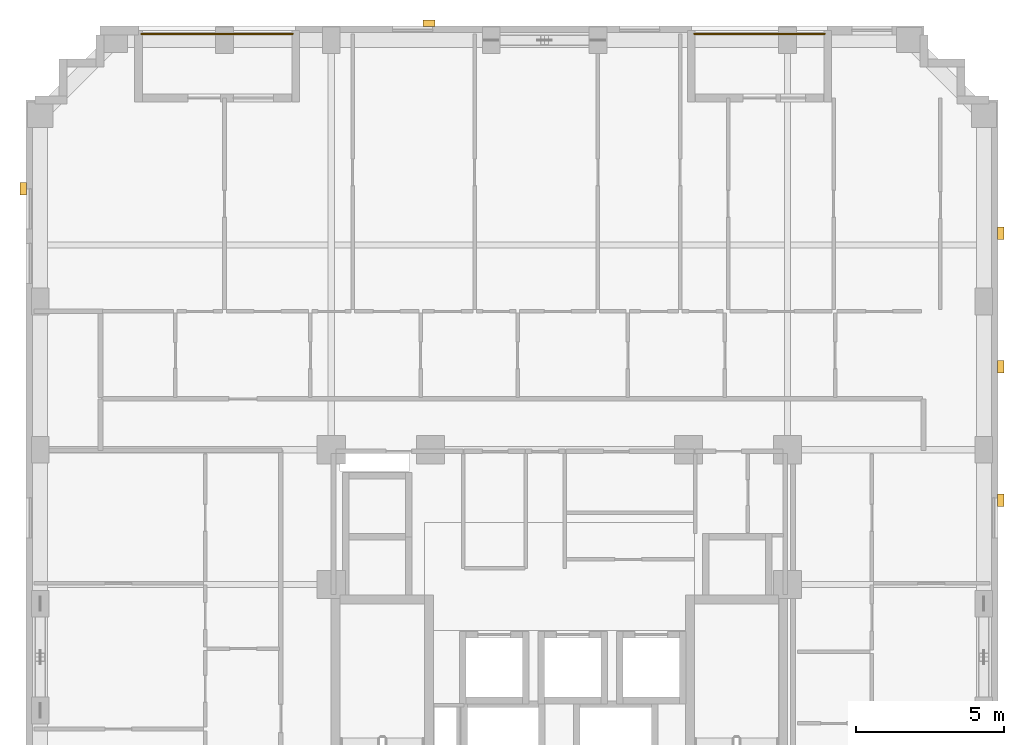
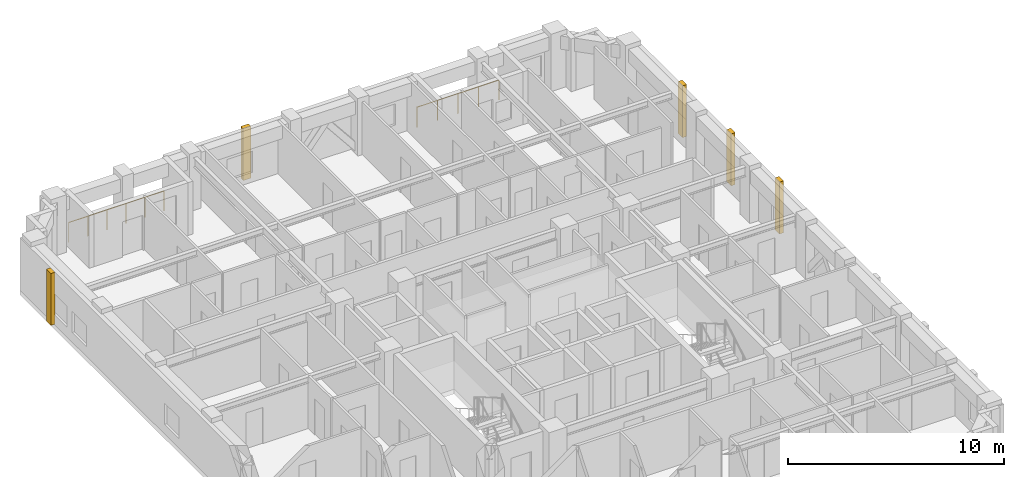
# One storey, part 11 of 11: 5 coverings, 2 railings.
"""IFC4 building model written with IfcOpenShell, lengths in metres."""

import ifcopenshell
import ifcopenshell.guid

model = None  # the IFC model being written
_history = None  # IfcOwnerHistory: only IFC2X3 demands one
_inside = {}  # id of a spatial element -> (the spatial element, [elements in it])
_under = {}  # id of a project, library or spatial element -> (it, [spatial elements below it])
_declared = {}  # id of a project -> (the project, [libraries it declares])
_typed = {}  # id of a type object -> (the type object, [elements of that type])
_made_of = {}  # id of a material, layer set ... -> (it, [elements and type objects made of it])


def new_model(schema):
    """Start an empty IFC model of exactly this schema.

    Asked for "IFC4X3", IfcOpenShell would pick the latest addendum, in which some entities
    have other attributes; the version numbers below select the first issue.
    IFC2X3 requires an IfcOwnerHistory on every rooted entity: one is made here for all.
    """
    global model, _history
    if schema == "IFC4X3":
        model = ifcopenshell.file(schema_version=(4, 3, 0, 0))
    else:
        model = ifcopenshell.file(schema=schema)
    _inside.clear()
    _under.clear()
    _declared.clear()
    _typed.clear()
    _made_of.clear()
    _history = None
    if model.schema == "IFC2X3":
        org = make("IfcOrganization", Name="unknown")
        user = make(
            "IfcPersonAndOrganization",
            ThePerson=make("IfcPerson", FamilyName="unknown"),
            TheOrganization=org,
        )
        app = make(
            "IfcApplication",
            ApplicationDeveloper=org,
            Version="unknown",
            ApplicationFullName="unknown",
            ApplicationIdentifier="unknown",
        )
        _history = make(
            "IfcOwnerHistory",
            OwningUser=user,
            OwningApplication=app,
            ChangeAction="ADDED",
            CreationDate=0,
        )
    return model


def make(cls, **values):
    """One entity of the class cls with the attributes given. An attribute that is None is left unset."""
    return model.create_entity(
        cls, **{name: value for name, value in values.items() if value is not None}
    )


def rooted(cls, **values):
    """An entity with a GlobalId (a new one), such as an element, a storey or a relation."""
    return make(cls, GlobalId=ifcopenshell.guid.new(), OwnerHistory=_history, **values)


def si_unit(unit_type, name, prefix=None):
    """IfcSIUnit, for example si_unit("LENGTHUNIT", "METRE", prefix="MILLI")."""
    return make("IfcSIUnit", UnitType=unit_type, Prefix=prefix, Name=name)


def derived_unit(unit_type, elements):
    """IfcDerivedUnit: a product of units, each with its exponent."""
    return make(
        "IfcDerivedUnit",
        Elements=[
            make("IfcDerivedUnitElement", Unit=unit, Exponent=power)
            for unit, power in elements
        ],
        UnitType=unit_type,
    )


def assignment(units):
    """IfcUnitAssignment: the units of a project."""
    return None if units is None else make("IfcUnitAssignment", Units=units)


def point(xyz):
    """IfcCartesianPoint."""
    return None if xyz is None else make("IfcCartesianPoint", Coordinates=xyz)


def direction(xyz):
    """IfcDirection."""
    return None if xyz is None else make("IfcDirection", DirectionRatios=xyz)


def frame(location, z_axis=None, x_axis=None):
    """IfcAxis2Placement3D, a coordinate frame: its origin and axes. An axis left out is left unset."""
    return make(
        "IfcAxis2Placement3D",
        Location=point(location),
        Axis=direction(z_axis),
        RefDirection=direction(x_axis),
    )


def frame_2d(location, x_axis=None):
    """IfcAxis2Placement2D, a coordinate frame in the plane: its origin and x axis."""
    return make(
        "IfcAxis2Placement2D", Location=point(location), RefDirection=direction(x_axis)
    )


def origin():
    """The frame at (0, 0, 0) with its axes left unset."""
    return frame((0.0, 0.0, 0.0))


def origin_2d():
    """The frame at (0, 0) in the plane with its x axis left unset."""
    return frame_2d((0.0, 0.0))


def place(relative_to, where):
    """IfcLocalPlacement: puts the frame where relative to a parent placement (None: the world)."""
    return make(
        "IfcLocalPlacement", PlacementRelTo=relative_to, RelativePlacement=where
    )


def context(
    kind, dimensions, precision=None, world=None, true_north=None, identifier=None
):
    """IfcGeometricRepresentationContext, for example the 3D "Model" context."""
    return make(
        "IfcGeometricRepresentationContext",
        ContextIdentifier=identifier,
        ContextType=kind,
        CoordinateSpaceDimension=dimensions,
        Precision=precision,
        WorldCoordinateSystem=world,
        TrueNorth=true_north,
    )


def subcontext(parent, identifier, kind, view, scale=None):
    """IfcGeometricRepresentationSubContext, for example "Body" below "Model"."""
    return make(
        "IfcGeometricRepresentationSubContext",
        ContextIdentifier=identifier,
        ContextType=kind,
        ParentContext=parent,
        TargetScale=scale,
        TargetView=view,
    )


def project(units=None, contexts=None):
    """IfcProject with its units and contexts."""
    return rooted(
        "IfcProject",
        Name="project",
        RepresentationContexts=contexts,
        UnitsInContext=assignment(units),
    )


def spatial(cls, under=None, at=None, **own):
    """A site, building, storey or space (cls), placed at a placement, below another one or the project."""
    s = rooted(cls, ObjectPlacement=at, **own)
    if under is not None:
        _under.setdefault(under.id(), (under, []))[1].append(s)
    return s


def profile(cls, at=None, kind="AREA", **sizes):
    """A parametric profile (cls). Its sizes go by their IFC names, for example OverallWidth=200.0."""
    return make(cls, ProfileType=kind, Position=at, **sizes)


def rectangle(**sizes):
    """IfcRectangleProfileDef."""
    return profile("IfcRectangleProfileDef", **sizes)


def circle(**sizes):
    """IfcCircleProfileDef."""
    return profile("IfcCircleProfileDef", **sizes)


def extrude(swept, where, along, depth):
    """IfcExtrudedAreaSolid: the profile swept, set in the frame where, extruded along a direction by depth."""
    return make(
        "IfcExtrudedAreaSolid",
        SweptArea=swept,
        Position=where,
        ExtrudedDirection=direction(along),
        Depth=depth,
    )


def shape(context_of_items, identifier, shape_type, items):
    """IfcShapeRepresentation: the items that make up one representation, for example the "Body"."""
    return make(
        "IfcShapeRepresentation",
        ContextOfItems=context_of_items,
        RepresentationIdentifier=identifier,
        RepresentationType=shape_type,
        Items=items,
    )


def material(Name=None, Category=None):
    """IfcMaterial."""
    return make("IfcMaterial", Name=Name, Category=Category)


def layer(
    of_material, thickness, ventilated=None, Name=None, Category=None, Priority=None
):
    """IfcMaterialLayer: one layer of a wall or slab, of a material (None: an air gap)."""
    return make(
        "IfcMaterialLayer",
        Material=of_material,
        LayerThickness=thickness,
        IsVentilated=ventilated,
        Name=Name,
        Category=Category,
        Priority=Priority,
    )


def layer_set(layers, Name=None):
    """IfcMaterialLayerSet."""
    return make("IfcMaterialLayerSet", MaterialLayers=layers, LayerSetName=Name)


def made_of(thing, what):
    """Note that an element or type object is made of a material, layer set ...; save() writes the relation."""
    if what is not None:
        _made_of.setdefault(what.id(), (what, []))[1].append(thing)
    return thing


def type_object(cls, material=None, **own):
    """A type object (cls), such as IfcWallType, which elements share."""
    return made_of(rooted(cls, **own), material)


def element(
    cls,
    number,
    at=None,
    inside=None,
    cuts=None,
    type_object=None,
    material=None,
    context=None,
    identifier="Body",
    shape_type=None,
    held_by="IfcProductDefinitionShape",
    body=None,
    shapes=None,
    **own,
):
    """One element of the class cls, such as IfcWall. Its Tag is "e" and its number.

    at: its placement. inside: the storey or other place that contains it. cuts: it is an
    opening in that element (IfcRelVoidsElement). A single representation is given by context,
    identifier, shape_type and body (its items); several are given by shapes. held_by: the class
    of the entity that holds the representations. save() writes the other relations.
    """
    e = rooted(cls, Tag="e%d" % number, ObjectPlacement=at, **own)
    if body is not None:
        shapes = [shape(context, identifier, shape_type, body)]
    if shapes is not None:
        e.Representation = make(held_by, Representations=shapes)
    if inside is not None:
        _inside.setdefault(inside.id(), (inside, []))[1].append(e)
    if cuts is not None:
        rooted(
            "IfcRelVoidsElement", RelatingBuildingElement=cuts, RelatedOpeningElement=e
        )
    if type_object is not None:
        _typed.setdefault(type_object.id(), (type_object, []))[1].append(e)
    return made_of(e, material)


def aggregate(whole, parts):
    """IfcRelAggregates: a whole, such as a stair, and the parts it consists of."""
    return rooted("IfcRelAggregates", RelatingObject=whole, RelatedObjects=parts)


def save(model, path):
    """Write the relations noted so far, then the file.

    IfcRelAggregates (storeys below a building ...), IfcRelContainedInSpatialStructure (elements
    in a storey), IfcRelDefinesByType, IfcRelAssociatesMaterial and IfcRelDeclares: one each for
    every whole, place, type object, material and project.
    """
    for whole, parts in _under.values():
        aggregate(whole, parts)
    for where, things in _inside.values():
        rooted(
            "IfcRelContainedInSpatialStructure",
            RelatedElements=things,
            RelatingStructure=where,
        )
    for kind, things in _typed.values():
        rooted("IfcRelDefinesByType", RelatedObjects=things, RelatingType=kind)
    for what, things in _made_of.values():
        rooted("IfcRelAssociatesMaterial", RelatedObjects=things, RelatingMaterial=what)
    for by, libraries in _declared.values():
        rooted("IfcRelDeclares", RelatingContext=by, RelatedDefinitions=libraries)
    model.write(path)


model = new_model("IFC4")

# Units and contexts
model_context = context("Model", 3, precision=1e-05, world=origin(), true_north=direction((0.0, 1.0)))
body_context = subcontext(model_context, "Body", "Model", "MODEL_VIEW")
ifc_project = project(units=[si_unit("LENGTHUNIT", "METRE"), si_unit("AREAUNIT", "SQUARE_METRE"), si_unit("VOLUMEUNIT", "CUBIC_METRE"), si_unit("PLANEANGLEUNIT", "RADIAN"), si_unit("MASSUNIT", "GRAM", prefix="KILO"), derived_unit("THERMALTRANSMITTANCEUNIT", [(si_unit("MASSUNIT", "GRAM", prefix="KILO"), 1), (si_unit("TIMEUNIT", "SECOND"), -3), (si_unit("THERMODYNAMICTEMPERATUREUNIT", "KELVIN"), -1)])], contexts=[model_context])

# Site, building, storey
site_placement = place(None, origin())
site = spatial("IfcSite", under=ifc_project, at=site_placement, CompositionType="ELEMENT")
building_placement = place(site_placement, origin())
building = spatial("IfcBuilding", under=site, at=building_placement, Name="Korrvale Station Residences", CompositionType="ELEMENT")
storey_placement = place(building_placement, frame((0.0, 0.0, 153.64990234375)))
storey = spatial("IfcBuildingStorey", under=building, at=storey_placement, Name="L44", CompositionType="ELEMENT", Elevation=153.64990234375)

# Coverings
ifc_material_1 = material(Name="Architectural precast concrete C45/55", Category="concrete")
ifc_layer = layer(ifc_material_1, 0.219970703125, Name="Architectural precast concrete C45/55")
ifc_layer_set = layer_set([ifc_layer], Name="Architectural precast concrete C45/55")
covering_type = type_object("IfcCoveringType", Name="COV-PIER-400", PredefinedType="CLADDING", material=ifc_layer_set)
for number, where, z_axis, x_axis, name in (
    (1, (21.10009765625, 43.389892578125, 0.025146484375), (0.0, 0.0, 1.0), (1.0, 0.0, 0.0), "L44 Architectural Precast Facade Pier 03"),
    (2, (7.409912109375, 37.800048828125, 0.025146484375), (0.0, 0.0, 1.0), (0.0, 1.0, 0.0), "L44 Architectural Precast Facade Pier 04"),
    (3, (40.389892578125, 36.300048828125, 0.025146484375), (0.0, 0.0, 1.0), (0.0, 1.0, 0.0), "L44 Architectural Precast Facade Pier 05"),
    (4, (40.389892578125, 31.800048828125, 0.025146484375), (0.0, 0.0, 1.0), (0.0, 1.0, 0.0), "L44 Architectural Precast Facade Pier 06"),
    (5, (40.389892578125, 27.300048828125, 0.025146484375), (0.0, 0.0, 1.0), (0.0, 1.0, 0.0), "L44 Architectural Precast Facade Pier 07"),
):
    element("IfcCovering", number, at=place(storey_placement, frame(where, z_axis=z_axis, x_axis=x_axis)), inside=storey, type_object=covering_type, Name=name, PredefinedType="CLADDING", context=body_context, shape_type="SweptSolid", body=[
        extrude(rectangle(XDim=0.419921875, YDim=0.219970703125, at=origin_2d()), origin(), (0.0, 0.0, 1.0), 2.93994140625),
    ])

# Railings
ifc_material_2 = material(Name="Powder-coated aluminium picket loggia guard", Category="aluminium")
railing_type = type_object("IfcRailingType", Name="RLG-BAL-1150", PredefinedType="GUARDRAIL", material=ifc_material_2)
railing_1_placement = place(storey_placement, frame((11.39990234375, 43.030029296875, 0.0)))
element("IfcRailing", 6, at=railing_1_placement, inside=storey, type_object=railing_type, Name="L44 Recessed Loggia Guardrail BAL-L44-N2", PredefinedType="GUARDRAIL", context=body_context, shape_type="SweptSolid", body=[
    extrude(circle(Radius=0.02392578125, at=origin_2d()), frame((0.0, 0.0, 1.1259765625), z_axis=(1.0, 0.0, 0.0), x_axis=(0.0, 1.0, 0.0)), (0.0, 0.0, 1.0), 5.10009765625),
    extrude(circle(Radius=0.02099609375, at=origin_2d()), origin(), (0.0, 0.0, 1.0), 1.101806640625),
    extrude(circle(Radius=0.02099609375, at=origin_2d()), frame((1.02001953125, 0.0, 0.0)), (0.0, 0.0, 1.0), 1.101806640625),
    extrude(circle(Radius=0.02099609375, at=origin_2d()), frame((2.0400390625, 0.0, 0.0)), (0.0, 0.0, 1.0), 1.101806640625),
    extrude(circle(Radius=0.02099609375, at=origin_2d()), frame((3.06005859375, 0.0, 0.0)), (0.0, 0.0, 1.0), 1.101806640625),
    extrude(circle(Radius=0.02099609375, at=origin_2d()), frame((4.080078125, 0.0, 0.0)), (0.0, 0.0, 1.0), 1.101806640625),
    extrude(circle(Radius=0.02099609375, at=origin_2d()), frame((5.10009765625, 0.0, 0.0)), (0.0, 0.0, 1.0), 1.101806640625),
])
railing_2_placement = place(storey_placement, frame((30.050048828125, 43.030029296875, 0.0)))
element("IfcRailing", 7, at=railing_2_placement, inside=storey, type_object=railing_type, Name="L44 Recessed Loggia Guardrail BAL-L44-N1", PredefinedType="GUARDRAIL", context=body_context, shape_type="SweptSolid", body=[
    extrude(circle(Radius=0.02392578125, at=origin_2d()), frame((0.0, 0.0, 1.1259765625), z_axis=(1.0, 0.0, 0.0), x_axis=(0.0, 1.0, 0.0)), (0.0, 0.0, 1.0), 4.39990234375),
    extrude(circle(Radius=0.02099609375, at=origin_2d()), origin(), (0.0, 0.0, 1.0), 1.101806640625),
    extrude(circle(Radius=0.02099609375, at=origin_2d()), frame((1.10009765625, 0.0, 0.0)), (0.0, 0.0, 1.0), 1.101806640625),
    extrude(circle(Radius=0.02099609375, at=origin_2d()), frame((2.199951171875, 0.0, 0.0)), (0.0, 0.0, 1.0), 1.101806640625),
    extrude(circle(Radius=0.02099609375, at=origin_2d()), frame((3.2998046875, 0.0, 0.0)), (0.0, 0.0, 1.0), 1.101806640625),
    extrude(circle(Radius=0.02099609375, at=origin_2d()), frame((4.39990234375, 0.0, 0.0)), (0.0, 0.0, 1.0), 1.101806640625),
])

save(model, "model.ifc")
